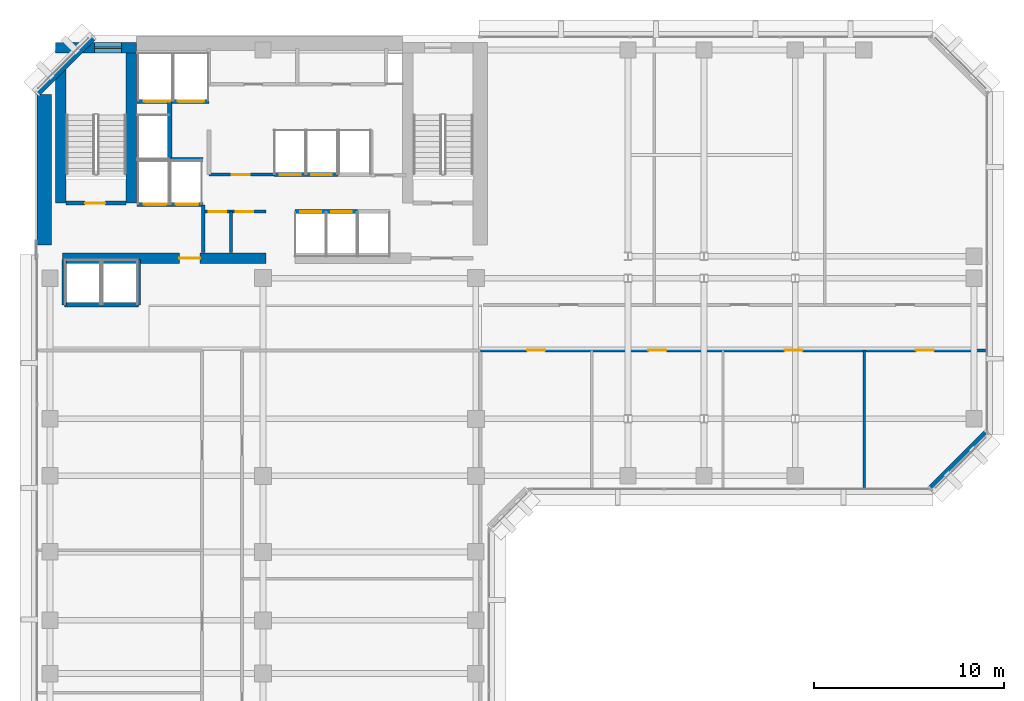
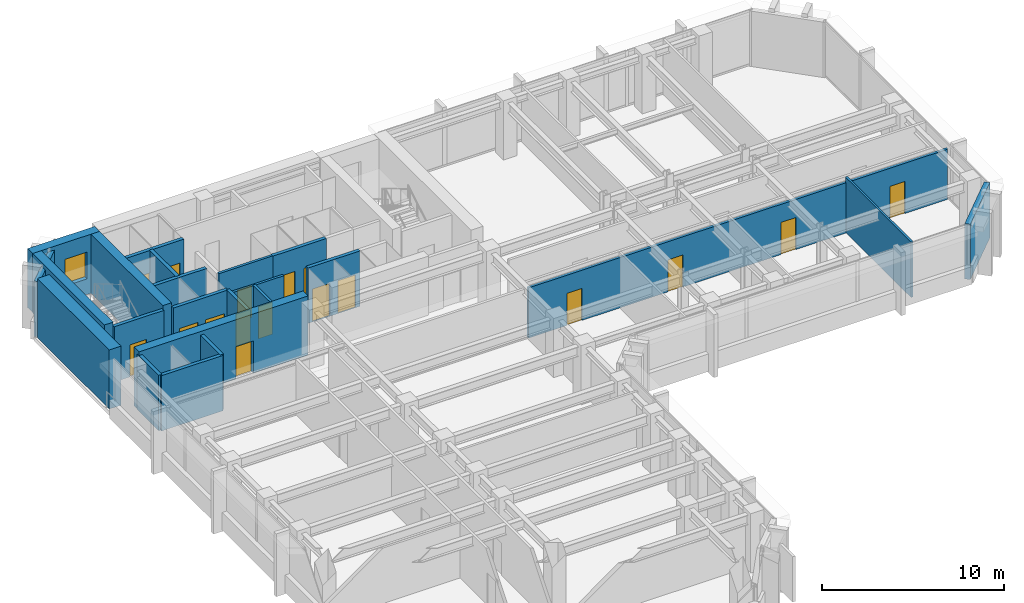
# One storey, part 7 of 11: 23 walls, 17 doors, 1 window, 18 openings.
"""IFC4 building model written with IfcOpenShell, lengths in metres."""

from ifc_helpers import new_model, si_unit, direction, frame, frame_2d, origin, place, context, subcontext, project, spatial, rectangle, extrude, material, layer, layer_set, type_object, element, fill, save


model = new_model("IFC4")

# Units and contexts
model_context = context("Model", 3, precision=1e-05, world=origin(), true_north=direction((0.0, 1.0)))
body_context = subcontext(model_context, "Body", "Model", "MODEL_VIEW")
ifc_project = project(units=[si_unit("LENGTHUNIT", "METRE"), si_unit("AREAUNIT", "SQUARE_METRE"), si_unit("VOLUMEUNIT", "CUBIC_METRE"), si_unit("PLANEANGLEUNIT", "RADIAN"), si_unit("MASSUNIT", "GRAM", prefix="KILO")], contexts=[model_context])

# Site, building, storey
site_placement = place(None, origin())
site = spatial("IfcSite", under=ifc_project, at=site_placement, CompositionType="ELEMENT")
building_placement = place(site_placement, origin())
building = spatial("IfcBuilding", under=site, at=building_placement, Name="Kefirva Bronze Tower", CompositionType="ELEMENT")
storey_placement = place(building_placement, frame((0.0, 0.0, 154.77001953125)))
storey = spatial("IfcBuildingStorey", under=building, at=storey_placement, Name="L37", CompositionType="ELEMENT", Elevation=154.77001953125)

# Wall
ifc_material_1 = material(Name="Gypsum acoustic partition")
ifc_layer_1 = layer(ifc_material_1, 0.1298828125, Name="Gypsum acoustic partition")
ifc_layer_set_1 = layer_set([ifc_layer_1], Name="Gypsum acoustic partition")
wall_type_1 = type_object("IfcWallType", Name="Acoustic Office Partition 130mm", PredefinedType="PARTITIONING", material=ifc_layer_set_1)
wall_1_placement = place(storey_placement, frame((43.635498046875, 22.18994140625, 0.0), z_axis=(0.0, 0.0, 1.0), x_axis=(0.0, 1.0, 0.0)))
element("IfcWall", 1, at=wall_1_placement, inside=storey, type_object=wall_type_1, Name="L37 Partition W-L37-ESD3", PredefinedType="PARTITIONING", context=body_context, shape_type="SweptSolid", body=[
    extrude(rectangle(XDim=7.2099609375, YDim=0.1298828125, at=frame_2d((3.60498046875, 0.0))), origin(), (0.0, 0.0, 1.0), 3.7099609375),
])

# Wall, opening, door
ifc_material_2 = material(Name="Gypsum fireboard shaftwall")
ifc_layer_2 = layer(ifc_material_2, 0.219970703125, Name="Gypsum fireboard shaftwall")
ifc_layer_set_2 = layer_set([ifc_layer_2], Name="Gypsum fireboard shaftwall")
wall_type_2 = type_object("IfcWallType", Name="Fire-Rated Shaft Enclosure Wall 220mm", PredefinedType="PARTITIONING", material=ifc_layer_set_2)
wall_2_placement = place(storey_placement, frame((1.64990234375, 37.14990234375, 0.0), z_axis=(0.0, 0.0, 1.0), x_axis=(1.0, 0.0, 0.0)))
wall_2 = element("IfcWall", 2, at=wall_2_placement, inside=storey, type_object=wall_type_2, Name="L37 Partition W-L37-ST1S", PredefinedType="PARTITIONING", context=body_context, shape_type="SweptSolid", body=[
    extrude(rectangle(XDim=3.150146484375, YDim=0.219970703125, at=frame_2d((1.5751953125, 0.0))), origin(), (0.0, 0.0, 1.0), 3.7099609375),
])
opening_1_placement = place(wall_2_placement, frame((2.050048828125, 0.0, 0.0), z_axis=(0.0, 0.0, 1.0), x_axis=(-1.0, 0.0, 0.0)))
opening_1 = element("IfcOpeningElement", 3, at=opening_1_placement, cuts=wall_2, Name="Opening L37-D001", PredefinedType="OPENING", context=body_context, shape_type="SweptSolid", body=[
    extrude(rectangle(XDim=1.050048828125, YDim=2.14990234375, at=frame_2d((0.52490234375, 1.074951171875))), frame((0.0, 0.1201171875, 0.0), z_axis=(0.0, -1.0, 0.0), x_axis=(1.0, 0.0, 0.0)), (0.0, 0.0, 1.0), 0.239990234375),
])
ifc_material_3 = material(Name="Painted galvanized steel", Category="steel")
door_type_1 = type_object("IfcDoorType", Name="Fire Stair Enclosure Door 1050x2150 FD90S", OperationType="NOTDEFINED", PredefinedType="DOOR", material=ifc_material_3)
door_1_placement = place(opening_1_placement, origin())
door_1 = element("IfcDoor", 4, at=door_1_placement, inside=storey, type_object=door_type_1, Name="Door L37-D001", OperationType="SINGLE_SWING_LEFT", OverallHeight=2.14990234375, OverallWidth=1.050048828125, PredefinedType="DOOR", context=body_context, shape_type="SweptSolid", body=[
    extrude(rectangle(XDim=1.050048828125, YDim=2.14990234375, at=frame_2d((0.52490234375, 1.074951171875))), frame((0.0, 0.02490234375, 0.0), z_axis=(0.0, -1.0, 0.0), x_axis=(1.0, 0.0, 0.0)), (0.0, 0.0, 1.0), 0.050048828125),
])
fill(opening_1, door_1)

# Wall, openings, doors
wall_3_placement = place(storey_placement, frame((5.3798828125, 37.080078125, 0.0), z_axis=(0.0, 0.0, 1.0), x_axis=(1.0, 0.0, 0.0)))
wall_3 = element("IfcWall", 5, at=wall_3_placement, inside=storey, type_object=wall_type_2, Name="L37 Partition W-L37-FFS", PredefinedType="PARTITIONING", context=body_context, shape_type="SweptSolid", body=[
    extrude(rectangle(XDim=3.460205078125, YDim=0.219970703125, at=frame_2d((1.72998046875, 0.0))), origin(), (0.0, 0.0, 1.0), 3.7099609375),
])
opening_2_placement = place(wall_3_placement, frame((1.550048828125, 0.0, 0.0), z_axis=(0.0, 0.0, 1.0), x_axis=(-1.0, 0.0, 0.0)))
opening_2 = element("IfcOpeningElement", 6, at=opening_2_placement, cuts=wall_3, Name="Opening L37-LD-FF1", PredefinedType="OPENING", context=body_context, shape_type="SweptSolid", body=[
    extrude(rectangle(XDim=1.199951171875, YDim=2.199951171875, at=frame_2d((0.60009765625, 1.10009765625))), frame((0.0, 0.1201171875, 0.0), z_axis=(0.0, -1.0, 0.0), x_axis=(1.0, 0.0, 0.0)), (0.0, 0.0, 1.0), 0.239990234375),
])
opening_3_placement = place(wall_3_placement, frame((3.219970703125, 0.0, 0.0), z_axis=(0.0, 0.0, 1.0), x_axis=(-1.0, 0.0, 0.0)))
opening_3 = element("IfcOpeningElement", 7, at=opening_3_placement, cuts=wall_3, Name="Opening L37-LD-FF2", PredefinedType="OPENING", context=body_context, shape_type="SweptSolid", body=[
    extrude(rectangle(XDim=1.199951171875, YDim=2.199951171875, at=frame_2d((0.60009765625, 1.10009765625))), frame((0.0, 0.1201171875, 0.0), z_axis=(0.0, -1.0, 0.0), x_axis=(1.0, 0.0, 0.0)), (0.0, 0.0, 1.0), 0.239990234375),
])
ifc_material_4 = material(Name="Stainless steel 316", Category="steel")
door_type_2 = type_object("IfcDoorType", Name="Firefighting Lift Sliding Door 1200x2200", OperationType="SLIDING_TO_RIGHT", PredefinedType="DOOR", material=ifc_material_4)
door_2_placement = place(opening_2_placement, origin())
door_2 = element("IfcDoor", 8, at=door_2_placement, inside=storey, type_object=door_type_2, Name="Door L37-LD-FF1", OperationType="SLIDING_TO_RIGHT", OverallHeight=2.199951171875, OverallWidth=1.199951171875, PredefinedType="DOOR", context=body_context, shape_type="SweptSolid", body=[
    extrude(rectangle(XDim=1.199951171875, YDim=2.199951171875, at=frame_2d((0.60009765625, 1.10009765625))), frame((0.0, 0.02490234375, 0.0), z_axis=(0.0, -1.0, 0.0), x_axis=(1.0, 0.0, 0.0)), (0.0, 0.0, 1.0), 0.050048828125),
])
fill(opening_2, door_2)
door_3_placement = place(opening_3_placement, origin())
door_3 = element("IfcDoor", 9, at=door_3_placement, inside=storey, type_object=door_type_2, Name="Door L37-LD-FF2", OperationType="SLIDING_TO_RIGHT", OverallHeight=2.199951171875, OverallWidth=1.199951171875, PredefinedType="DOOR", context=body_context, shape_type="SweptSolid", body=[
    extrude(rectangle(XDim=1.199951171875, YDim=2.199951171875, at=frame_2d((0.60009765625, 1.10009765625))), frame((0.0, 0.02490234375, 0.0), z_axis=(0.0, -1.0, 0.0), x_axis=(1.0, 0.0, 0.0)), (0.0, 0.0, 1.0), 0.050048828125),
])
fill(opening_3, door_3)

# Wall
wall_4_placement = place(storey_placement, frame((5.3798828125, 39.449951171875, 0.0), z_axis=(0.0, 0.0, 1.0), x_axis=(1.0, 0.0, 0.0)))
element("IfcWall", 10, at=wall_4_placement, inside=storey, type_object=wall_type_2, Name="L37 Partition W-L37-FFN", PredefinedType="PARTITIONING", context=body_context, shape_type="SweptSolid", body=[
    extrude(rectangle(XDim=3.460205078125, YDim=0.219970703125, at=frame_2d((1.72998046875, 0.0))), origin(), (0.0, 0.0, 1.0), 3.7099609375),
])

# Wall, openings, doors
wall_5_placement = place(storey_placement, frame((5.3798828125, 42.5, 0.0), z_axis=(0.0, 0.0, 1.0), x_axis=(1.0, 0.0, 0.0)))
wall_5 = element("IfcWall", 11, at=wall_5_placement, inside=storey, type_object=wall_type_2, Name="L37 Partition W-L37-SVS", PredefinedType="PARTITIONING", context=body_context, shape_type="SweptSolid", body=[
    extrude(rectangle(XDim=3.77001953125, YDim=0.219970703125, at=frame_2d((1.885009765625, 0.0))), origin(), (0.0, 0.0, 1.0), 3.7099609375),
])
opening_4_placement = place(wall_5_placement, frame((1.75, 0.0, 0.0), z_axis=(0.0, 0.0, 1.0), x_axis=(-1.0, 0.0, 0.0)))
opening_4 = element("IfcOpeningElement", 12, at=opening_4_placement, cuts=wall_5, Name="Opening L37-LD-SV1", PredefinedType="OPENING", context=body_context, shape_type="SweptSolid", body=[
    extrude(rectangle(XDim=1.39990234375, YDim=2.199951171875, at=frame_2d((0.699951171875, 1.10009765625))), frame((0.0, 0.1201171875, 0.0), z_axis=(0.0, -1.0, 0.0), x_axis=(1.0, 0.0, 0.0)), (0.0, 0.0, 1.0), 0.239990234375),
])
opening_5_placement = place(wall_5_placement, frame((3.52978515625, 0.0, 0.0), z_axis=(0.0, 0.0, 1.0), x_axis=(-1.0, 0.0, 0.0)))
opening_5 = element("IfcOpeningElement", 13, at=opening_5_placement, cuts=wall_5, Name="Opening L37-LD-SV2", PredefinedType="OPENING", context=body_context, shape_type="SweptSolid", body=[
    extrude(rectangle(XDim=1.39990234375, YDim=2.199951171875, at=frame_2d((0.699951171875, 1.10009765625))), frame((0.0, 0.1201171875, 0.0), z_axis=(0.0, -1.0, 0.0), x_axis=(1.0, 0.0, 0.0)), (0.0, 0.0, 1.0), 0.239990234375),
])
door_type_3 = type_object("IfcDoorType", Name="Goods Lift Bi-Parting Sliding Door 1400x2200", OperationType="SLIDING_TO_LEFT", PredefinedType="DOOR", material=ifc_material_4)
door_4_placement = place(opening_4_placement, origin())
door_4 = element("IfcDoor", 14, at=door_4_placement, inside=storey, type_object=door_type_3, Name="Door L37-LD-SV1", OperationType="SLIDING_TO_LEFT", OverallHeight=2.199951171875, OverallWidth=1.39990234375, PredefinedType="DOOR", context=body_context, shape_type="SweptSolid", body=[
    extrude(rectangle(XDim=1.39990234375, YDim=2.199951171875, at=frame_2d((0.699951171875, 1.10009765625))), frame((0.0, 0.02490234375, 0.0), z_axis=(0.0, -1.0, 0.0), x_axis=(1.0, 0.0, 0.0)), (0.0, 0.0, 1.0), 0.050048828125),
])
fill(opening_4, door_4)
door_5_placement = place(opening_5_placement, origin())
door_5 = element("IfcDoor", 15, at=door_5_placement, inside=storey, type_object=door_type_3, Name="Door L37-LD-SV2", OperationType="SLIDING_TO_LEFT", OverallHeight=2.199951171875, OverallWidth=1.39990234375, PredefinedType="DOOR", context=body_context, shape_type="SweptSolid", body=[
    extrude(rectangle(XDim=1.39990234375, YDim=2.199951171875, at=frame_2d((0.699951171875, 1.10009765625))), frame((0.0, 0.02490234375, 0.0), z_axis=(0.0, -1.0, 0.0), x_axis=(1.0, 0.0, 0.0)), (0.0, 0.0, 1.0), 0.050048828125),
])
fill(opening_5, door_5)

# Walls
wall_6_placement = place(storey_placement, frame((7.10009765625, 39.52001953125, 0.0), z_axis=(0.0, 0.0, 1.0), x_axis=(0.0, 1.0, 0.0)))
element("IfcWall", 16, at=wall_6_placement, inside=storey, type_object=wall_type_2, Name="L37 Partition W-L37-HP3E", PredefinedType="PARTITIONING", context=body_context, shape_type="SweptSolid", body=[
    extrude(rectangle(XDim=2.929931640625, YDim=0.219970703125, at=frame_2d((1.46484375, 0.0))), origin(), (0.0, 0.0, 1.0), 3.7099609375),
])
wall_7_placement = place(storey_placement, frame((1.550048828125, 31.800048828125, 0.0), z_axis=(0.0, 0.0, 1.0), x_axis=(1.0, 0.0, 0.0)))
element("IfcWall", 17, at=wall_7_placement, inside=storey, type_object=wall_type_2, Name="L37 Partition W-L37-OBS", PredefinedType="PARTITIONING", context=body_context, shape_type="SweptSolid", body=[
    extrude(rectangle(XDim=3.89990234375, YDim=0.219970703125, at=frame_2d((1.949951171875, 0.0))), origin(), (0.0, 0.0, 1.0), 3.7099609375),
])
for number, where, z_axis, x_axis, name in (
    (18, (1.550048828125, 31.800048828125, 0.0), (0.0, 0.0, 1.0), (0.0, 1.0, 0.0), "L37 Partition W-L37-OBW"),
    (19, (5.449951171875, 31.800048828125, 0.0), (0.0, 0.0, 1.0), (0.0, 1.0, 0.0), "L37 Partition W-L37-OBE"),
):
    element("IfcWall", number, at=place(storey_placement, frame(where, z_axis=z_axis, x_axis=x_axis)), inside=storey, type_object=wall_type_2, Name=name, PredefinedType="PARTITIONING", context=body_context, shape_type="SweptSolid", body=[
        extrude(rectangle(XDim=2.3798828125, YDim=0.219970703125, at=frame_2d((1.18994140625, 0.0))), origin(), (0.0, 0.0, 1.0), 3.7099609375),
    ])

# Wall, openings, doors
wall_8_placement = place(storey_placement, frame((13.679931640625, 36.699951171875, 0.0), z_axis=(0.0, 0.0, 1.0), x_axis=(1.0, 0.0, 0.0)))
wall_8 = element("IfcWall", 20, at=wall_8_placement, inside=storey, type_object=wall_type_2, Name="L37 Partition W-L37-MPS", PredefinedType="PARTITIONING", context=body_context, shape_type="SweptSolid", body=[
    extrude(rectangle(XDim=3.280029296875, YDim=0.219970703125, at=frame_2d((1.64013671875, 0.0))), origin(), (0.0, 0.0, 1.0), 3.7099609375),
])
opening_6_placement = place(wall_8_placement, frame((0.280029296875, 0.0, 0.0)))
opening_6 = element("IfcOpeningElement", 21, at=opening_6_placement, cuts=wall_8, Name="Opening L37-LD-MP1", PredefinedType="OPENING", context=body_context, shape_type="SweptSolid", body=[
    extrude(rectangle(XDim=1.10009765625, YDim=2.199951171875, at=frame_2d((0.550048828125, 1.10009765625))), frame((0.0, 0.1201171875, 0.0), z_axis=(0.0, -1.0, 0.0), x_axis=(1.0, 0.0, 0.0)), (0.0, 0.0, 1.0), 0.239990234375),
])
opening_7_placement = place(wall_8_placement, frame((1.89990234375, 0.0, 0.0)))
opening_7 = element("IfcOpeningElement", 22, at=opening_7_placement, cuts=wall_8, Name="Opening L37-LD-MP2", PredefinedType="OPENING", context=body_context, shape_type="SweptSolid", body=[
    extrude(rectangle(XDim=1.10009765625, YDim=2.199951171875, at=frame_2d((0.550048828125, 1.10009765625))), frame((0.0, 0.1201171875, 0.0), z_axis=(0.0, -1.0, 0.0), x_axis=(1.0, 0.0, 0.0)), (0.0, 0.0, 1.0), 0.239990234375),
])
door_type_4 = type_object("IfcDoorType", Name="Passenger Lift Sliding Landing Door 1100x2200", OperationType="SLIDING_TO_LEFT", PredefinedType="DOOR", material=ifc_material_4)
door_6_placement = place(opening_6_placement, origin())
door_6 = element("IfcDoor", 23, at=door_6_placement, inside=storey, type_object=door_type_4, Name="Door L37-LD-MP1", OperationType="SLIDING_TO_RIGHT", OverallHeight=2.199951171875, OverallWidth=1.10009765625, PredefinedType="DOOR", context=body_context, shape_type="SweptSolid", body=[
    extrude(rectangle(XDim=1.10009765625, YDim=2.199951171875, at=frame_2d((0.550048828125, 1.10009765625))), frame((0.0, 0.02490234375, 0.0), z_axis=(0.0, -1.0, 0.0), x_axis=(1.0, 0.0, 0.0)), (0.0, 0.0, 1.0), 0.050048828125),
])
fill(opening_6, door_6)
door_7_placement = place(opening_7_placement, origin())
door_7 = element("IfcDoor", 24, at=door_7_placement, inside=storey, type_object=door_type_4, Name="Door L37-LD-MP2", OperationType="SLIDING_TO_RIGHT", OverallHeight=2.199951171875, OverallWidth=1.10009765625, PredefinedType="DOOR", context=body_context, shape_type="SweptSolid", body=[
    extrude(rectangle(XDim=1.10009765625, YDim=2.199951171875, at=frame_2d((0.550048828125, 1.10009765625))), frame((0.0, 0.02490234375, 0.0), z_axis=(0.0, -1.0, 0.0), x_axis=(1.0, 0.0, 0.0)), (0.0, 0.0, 1.0), 0.050048828125),
])
fill(opening_7, door_7)

wall_9_placement = place(storey_placement, frame((12.580078125, 38.64990234375, 0.0), z_axis=(0.0, 0.0, 1.0), x_axis=(1.0, 0.0, 0.0)))
wall_9 = element("IfcWall", 25, at=wall_9_placement, inside=storey, type_object=wall_type_2, Name="L37 Partition W-L37-MPN", PredefinedType="PARTITIONING", context=body_context, shape_type="SweptSolid", body=[
    extrude(rectangle(XDim=3.3798828125, YDim=0.219970703125, at=frame_2d((1.68994140625, 0.0))), origin(), (0.0, 0.0, 1.0), 3.7099609375),
])
opening_8_placement = place(wall_9_placement, frame((0.300048828125, 0.0, 0.0)))
opening_8 = element("IfcOpeningElement", 26, at=opening_8_placement, cuts=wall_9, Name="Opening L37-LD-MP3", PredefinedType="OPENING", context=body_context, shape_type="SweptSolid", body=[
    extrude(rectangle(XDim=1.10009765625, YDim=2.199951171875, at=frame_2d((0.550048828125, 1.10009765625))), frame((0.0, 0.1201171875, 0.0), z_axis=(0.0, -1.0, 0.0), x_axis=(1.0, 0.0, 0.0)), (0.0, 0.0, 1.0), 0.239990234375),
])
opening_9_placement = place(wall_9_placement, frame((1.949951171875, 0.0, 0.0)))
opening_9 = element("IfcOpeningElement", 27, at=opening_9_placement, cuts=wall_9, Name="Opening L37-LD-MP4", PredefinedType="OPENING", context=body_context, shape_type="SweptSolid", body=[
    extrude(rectangle(XDim=1.10009765625, YDim=2.199951171875, at=frame_2d((0.550048828125, 1.10009765625))), frame((0.0, 0.1201171875, 0.0), z_axis=(0.0, -1.0, 0.0), x_axis=(1.0, 0.0, 0.0)), (0.0, 0.0, 1.0), 0.239990234375),
])
door_8_placement = place(opening_8_placement, origin())
door_8 = element("IfcDoor", 28, at=door_8_placement, inside=storey, type_object=door_type_4, Name="Door L37-LD-MP3", OperationType="SLIDING_TO_RIGHT", OverallHeight=2.199951171875, OverallWidth=1.10009765625, PredefinedType="DOOR", context=body_context, shape_type="SweptSolid", body=[
    extrude(rectangle(XDim=1.10009765625, YDim=2.199951171875, at=frame_2d((0.550048828125, 1.10009765625))), frame((0.0, 0.02490234375, 0.0), z_axis=(0.0, -1.0, 0.0), x_axis=(1.0, 0.0, 0.0)), (0.0, 0.0, 1.0), 0.050048828125),
])
fill(opening_8, door_8)
door_9_placement = place(opening_9_placement, origin())
door_9 = element("IfcDoor", 29, at=door_9_placement, inside=storey, type_object=door_type_4, Name="Door L37-LD-MP4", OperationType="SLIDING_TO_RIGHT", OverallHeight=2.199951171875, OverallWidth=1.10009765625, PredefinedType="DOOR", context=body_context, shape_type="SweptSolid", body=[
    extrude(rectangle(XDim=1.10009765625, YDim=2.199951171875, at=frame_2d((0.550048828125, 1.10009765625))), frame((0.0, 0.02490234375, 0.0), z_axis=(0.0, -1.0, 0.0), x_axis=(1.0, 0.0, 0.0)), (0.0, 0.0, 1.0), 0.050048828125),
])
fill(opening_9, door_9)

# Walls
ifc_material_5 = material(Name="Gypsum fireboard barrier")
ifc_layer_3 = layer(ifc_material_5, 0.199951171875, Name="Gypsum fireboard barrier")
ifc_layer_set_3 = layer_set([ifc_layer_3], Name="Gypsum fireboard barrier")
wall_type_3 = type_object("IfcWallType", Name="Firefighting Lobby Barrier Wall 200mm", PredefinedType="PARTITIONING", material=ifc_layer_set_3)
wall_10_placement = place(storey_placement, frame((8.860107421875, 34.550048828125, 0.0), z_axis=(0.0, 0.0, 1.0), x_axis=(0.0, 1.0, 0.0)))
element("IfcWall", 30, at=wall_10_placement, inside=storey, type_object=wall_type_3, Name="L37 Partition W-L37-FFLE", PredefinedType="PARTITIONING", context=body_context, shape_type="SweptSolid", body=[
    extrude(rectangle(XDim=2.5, YDim=0.199951171875, at=frame_2d((1.25, 0.0))), origin(), (0.0, 0.0, 1.0), 3.7099609375),
])
ifc_material_6 = material(Name="Precast concrete C40/50", Category="concrete")
ifc_layer_4 = layer(ifc_material_6, 0.320068359375, Name="Precast concrete C40/50")
ifc_layer_set_4 = layer_set([ifc_layer_4], Name="Precast concrete C40/50")
wall_type_4 = type_object("IfcWallType", Name="Precast Insulated Exterior Wall 320mm", PredefinedType="SOLIDWALL", material=ifc_layer_set_4)
for number, where, z_axis, x_axis, name in (
    (31, (47.125732421875, 22.152099609375, 0.0), (0.0, 0.0, 1.0), (0.707136318428, 0.707077242712, 0.0), "L37 Exterior Facade Wall 3"),
    (32, (3.07421875, 45.847900390625, 0.0), (0.0, 0.0, 1.0), (-0.707106781187, -0.707106781187, 0.0), "L37 Exterior Facade Wall 5"),
):
    element("IfcWall", number, at=place(storey_placement, frame(where, z_axis=z_axis, x_axis=x_axis)), inside=storey, type_object=wall_type_4, Name=name, PredefinedType="SOLIDWALL", context=body_context, shape_type="SweptSolid", body=[
        extrude(rectangle(XDim=4.132568359375, YDim=0.320068359375, at=frame_2d((2.06640625, 0.0))), origin(), (0.0, 0.0, 1.0), 3.7099609375),
    ])

# Wall, openings, doors
ifc_layer_5 = layer(ifc_material_1, 0.159912109375, Name="Gypsum acoustic partition")
ifc_layer_set_5 = layer_set([ifc_layer_5], Name="Gypsum acoustic partition")
wall_type_5 = type_object("IfcWallType", Name="Protected Corridor Partition 160mm", PredefinedType="PARTITIONING", material=ifc_layer_set_5)
wall_11_placement = place(storey_placement, frame((8.89990234375, 36.699951171875, 0.0), z_axis=(0.0, 0.0, 1.0), x_axis=(1.0, 0.0, 0.0)))
wall_11 = element("IfcWall", 33, at=wall_11_placement, inside=storey, type_object=wall_type_5, Name="L37 Partition W-L37-RECLP1", PredefinedType="PARTITIONING", context=body_context, shape_type="SweptSolid", body=[
    extrude(rectangle(XDim=3.25, YDim=0.159912109375, at=frame_2d((1.625, 0.0))), origin(), (0.0, 0.0, 1.0), 3.7099609375),
])
opening_10_placement = place(wall_11_placement, frame((0.260009765625, 0.0, 0.0)))
opening_10 = element("IfcOpeningElement", 34, at=opening_10_placement, cuts=wall_11, Name="Opening L37-D-RECLP1A", PredefinedType="OPENING", context=body_context, shape_type="SweptSolid", body=[
    extrude(rectangle(XDim=0.89990234375, YDim=2.14990234375, at=frame_2d((0.449951171875, 1.074951171875))), frame((0.0, 0.08984375, 0.0), z_axis=(0.0, -1.0, 0.0), x_axis=(1.0, 0.0, 0.0)), (0.0, 0.0, 1.0), 0.179931640625),
])
opening_11_placement = place(wall_11_placement, frame((1.679931640625, 0.0, 0.0)))
opening_11 = element("IfcOpeningElement", 35, at=opening_11_placement, cuts=wall_11, Name="Opening L37-D-RECLP1B", PredefinedType="OPENING", context=body_context, shape_type="SweptSolid", body=[
    extrude(rectangle(XDim=0.89990234375, YDim=2.14990234375, at=frame_2d((0.449951171875, 1.074951171875))), frame((0.0, 0.08984375, 0.0), z_axis=(0.0, -1.0, 0.0), x_axis=(1.0, 0.0, 0.0)), (0.0, 0.0, 1.0), 0.179931640625),
])
door_type_5 = type_object("IfcDoorType", Name="Core Archive & Server Fire Door 900x2150 FD60S", OperationType="NOTDEFINED", PredefinedType="DOOR", material=ifc_material_3)
door_10_placement = place(opening_10_placement, origin())
door_10 = element("IfcDoor", 36, at=door_10_placement, inside=storey, type_object=door_type_5, Name="Door L37-D-RECLP1A", OperationType="SINGLE_SWING_RIGHT", OverallHeight=2.14990234375, OverallWidth=0.89990234375, PredefinedType="DOOR", context=body_context, shape_type="SweptSolid", body=[
    extrude(rectangle(XDim=0.89990234375, YDim=2.14990234375, at=frame_2d((0.449951171875, 1.074951171875))), frame((0.0, 0.02490234375, 0.0), z_axis=(0.0, -1.0, 0.0), x_axis=(1.0, 0.0, 0.0)), (0.0, 0.0, 1.0), 0.050048828125),
])
fill(opening_10, door_10)
door_11_placement = place(opening_11_placement, origin())
door_11 = element("IfcDoor", 37, at=door_11_placement, inside=storey, type_object=door_type_5, Name="Door L37-D-RECLP1B", OperationType="SINGLE_SWING_LEFT", OverallHeight=2.14990234375, OverallWidth=0.89990234375, PredefinedType="DOOR", context=body_context, shape_type="SweptSolid", body=[
    extrude(rectangle(XDim=0.89990234375, YDim=2.14990234375, at=frame_2d((0.449951171875, 1.074951171875))), frame((0.0, 0.02490234375, 0.0), z_axis=(0.0, -1.0, 0.0), x_axis=(1.0, 0.0, 0.0)), (0.0, 0.0, 1.0), 0.050048828125),
])
fill(opening_11, door_11)

# Wall
wall_12_placement = place(storey_placement, frame((10.320068359375, 34.550048828125, 0.0), z_axis=(0.0, 0.0, 1.0), x_axis=(0.0, 1.0, 0.0)))
element("IfcWall", 38, at=wall_12_placement, inside=storey, type_object=wall_type_5, Name="L37 Partition W-L37-RECLP1D", PredefinedType="PARTITIONING", context=body_context, shape_type="SweptSolid", body=[
    extrude(rectangle(XDim=2.14990234375, YDim=0.159912109375, at=frame_2d((1.074951171875, 0.0))), origin(), (0.0, 0.0, 1.0), 3.7099609375),
])

# Wall, opening, door
wall_13_placement = place(storey_placement, frame((9.159912109375, 38.64990234375, 0.0), z_axis=(0.0, 0.0, 1.0), x_axis=(1.0, 0.0, 0.0)))
wall_13 = element("IfcWall", 39, at=wall_13_placement, inside=storey, type_object=wall_type_5, Name="L37 Partition W-L37-RECLP2", PredefinedType="PARTITIONING", context=body_context, shape_type="SweptSolid", body=[
    extrude(rectangle(XDim=3.420166015625, YDim=0.159912109375, at=frame_2d((1.7099609375, 0.0))), origin(), (0.0, 0.0, 1.0), 3.7099609375),
])
opening_12_placement = place(wall_13_placement, frame((2.14990234375, 0.0, 0.0), z_axis=(0.0, 0.0, 1.0), x_axis=(-1.0, 0.0, 0.0)))
opening_12 = element("IfcOpeningElement", 40, at=opening_12_placement, cuts=wall_13, Name="Opening L37-D-RECLP2", PredefinedType="OPENING", context=body_context, shape_type="SweptSolid", body=[
    extrude(rectangle(XDim=0.949951171875, YDim=2.14990234375, at=frame_2d((0.47509765625, 1.074951171875))), frame((0.0, 0.08984375, 0.0), z_axis=(0.0, -1.0, 0.0), x_axis=(1.0, 0.0, 0.0)), (0.0, 0.0, 1.0), 0.179931640625),
])
ifc_material_7 = material(Name="Acoustic hardwood oak", Category="wood")
door_type_6 = type_object("IfcDoorType", Name="Office & Meeting Room Door 950x2150", OperationType="NOTDEFINED", PredefinedType="DOOR", material=ifc_material_7)
door_12_placement = place(opening_12_placement, origin())
door_12 = element("IfcDoor", 41, at=door_12_placement, inside=storey, type_object=door_type_6, Name="Door L37-D-RECLP2", OperationType="SINGLE_SWING_RIGHT", OverallHeight=2.14990234375, OverallWidth=0.949951171875, PredefinedType="DOOR", context=body_context, shape_type="SweptSolid", body=[
    extrude(rectangle(XDim=0.949951171875, YDim=2.14990234375, at=frame_2d((0.47509765625, 1.074951171875))), frame((0.0, 0.02490234375, 0.0), z_axis=(0.0, -1.0, 0.0), x_axis=(1.0, 0.0, 0.0)), (0.0, 0.0, 1.0), 0.050048828125),
])
fill(opening_12, door_12)

# Wall, openings, doors
wall_14_placement = place(storey_placement, frame((23.449951171875, 29.39990234375, 0.0), z_axis=(0.0, 0.0, 1.0), x_axis=(1.0, 0.0, 0.0)))
wall_14 = element("IfcWall", 42, at=wall_14_placement, inside=storey, type_object=wall_type_5, Name="L37 Partition W-L37-EWS", PredefinedType="PARTITIONING", context=body_context, shape_type="SweptSolid", body=[
    extrude(rectangle(XDim=26.56005859375, YDim=0.159912109375, at=frame_2d((13.280029296875, 0.0))), origin(), (0.0, 0.0, 1.0), 3.364990234375),
])
opening_13_placement = place(wall_14_placement, frame((3.396484375, 0.0, 0.0), z_axis=(0.0, 0.0, 1.0), x_axis=(-1.0, 0.0, 0.0)))
opening_13 = element("IfcOpeningElement", 43, at=opening_13_placement, cuts=wall_14, Name="Opening L37-D-ES1", PredefinedType="OPENING", context=body_context, shape_type="SweptSolid", body=[
    extrude(rectangle(XDim=0.949951171875, YDim=2.14990234375, at=frame_2d((0.47509765625, 1.074951171875))), frame((0.0, 0.08984375, 0.0), z_axis=(0.0, -1.0, 0.0), x_axis=(1.0, 0.0, 0.0)), (0.0, 0.0, 1.0), 0.179931640625),
])
opening_14_placement = place(wall_14_placement, frame((9.77099609375, 0.0, 0.0), z_axis=(0.0, 0.0, 1.0), x_axis=(-1.0, 0.0, 0.0)))
opening_14 = element("IfcOpeningElement", 44, at=opening_14_placement, cuts=wall_14, Name="Opening L37-D-ES2", PredefinedType="OPENING", context=body_context, shape_type="SweptSolid", body=[
    extrude(rectangle(XDim=0.949951171875, YDim=2.14990234375, at=frame_2d((0.47509765625, 1.074951171875))), frame((0.0, 0.08984375, 0.0), z_axis=(0.0, -1.0, 0.0), x_axis=(1.0, 0.0, 0.0)), (0.0, 0.0, 1.0), 0.179931640625),
])
opening_15_placement = place(wall_14_placement, frame((16.942138671875, 0.0, 0.0), z_axis=(0.0, 0.0, 1.0), x_axis=(-1.0, 0.0, 0.0)))
opening_15 = element("IfcOpeningElement", 45, at=opening_15_placement, cuts=wall_14, Name="Opening L37-D-ES3", PredefinedType="OPENING", context=body_context, shape_type="SweptSolid", body=[
    extrude(rectangle(XDim=0.949951171875, YDim=2.14990234375, at=frame_2d((0.47509765625, 1.074951171875))), frame((0.0, 0.08984375, 0.0), z_axis=(0.0, -1.0, 0.0), x_axis=(1.0, 0.0, 0.0)), (0.0, 0.0, 1.0), 0.179931640625),
])
opening_16_placement = place(wall_14_placement, frame((23.84765625, 0.0, 0.0), z_axis=(0.0, 0.0, 1.0), x_axis=(-1.0, 0.0, 0.0)))
opening_16 = element("IfcOpeningElement", 46, at=opening_16_placement, cuts=wall_14, Name="Opening L37-D-ES4", PredefinedType="OPENING", context=body_context, shape_type="SweptSolid", body=[
    extrude(rectangle(XDim=0.949951171875, YDim=2.14990234375, at=frame_2d((0.47509765625, 1.074951171875))), frame((0.0, 0.08984375, 0.0), z_axis=(0.0, -1.0, 0.0), x_axis=(1.0, 0.0, 0.0)), (0.0, 0.0, 1.0), 0.179931640625),
])
door_13_placement = place(opening_13_placement, origin())
door_13 = element("IfcDoor", 47, at=door_13_placement, inside=storey, type_object=door_type_6, Name="Door L37-D-ES1", OperationType="SINGLE_SWING_LEFT", OverallHeight=2.14990234375, OverallWidth=0.949951171875, PredefinedType="DOOR", context=body_context, shape_type="SweptSolid", body=[
    extrude(rectangle(XDim=0.949951171875, YDim=2.14990234375, at=frame_2d((0.47509765625, 1.074951171875))), frame((0.0, 0.02490234375, 0.0), z_axis=(0.0, -1.0, 0.0), x_axis=(1.0, 0.0, 0.0)), (0.0, 0.0, 1.0), 0.050048828125),
])
fill(opening_13, door_13)
door_14_placement = place(opening_14_placement, origin())
door_14 = element("IfcDoor", 48, at=door_14_placement, inside=storey, type_object=door_type_6, Name="Door L37-D-ES2", OperationType="SINGLE_SWING_RIGHT", OverallHeight=2.14990234375, OverallWidth=0.949951171875, PredefinedType="DOOR", context=body_context, shape_type="SweptSolid", body=[
    extrude(rectangle(XDim=0.949951171875, YDim=2.14990234375, at=frame_2d((0.47509765625, 1.074951171875))), frame((0.0, 0.02490234375, 0.0), z_axis=(0.0, -1.0, 0.0), x_axis=(1.0, 0.0, 0.0)), (0.0, 0.0, 1.0), 0.050048828125),
])
fill(opening_14, door_14)
door_15_placement = place(opening_15_placement, origin())
door_15 = element("IfcDoor", 49, at=door_15_placement, inside=storey, type_object=door_type_6, Name="Door L37-D-ES3", OperationType="SINGLE_SWING_LEFT", OverallHeight=2.14990234375, OverallWidth=0.949951171875, PredefinedType="DOOR", context=body_context, shape_type="SweptSolid", body=[
    extrude(rectangle(XDim=0.949951171875, YDim=2.14990234375, at=frame_2d((0.47509765625, 1.074951171875))), frame((0.0, 0.02490234375, 0.0), z_axis=(0.0, -1.0, 0.0), x_axis=(1.0, 0.0, 0.0)), (0.0, 0.0, 1.0), 0.050048828125),
])
fill(opening_15, door_15)
door_16_placement = place(opening_16_placement, origin())
door_16 = element("IfcDoor", 50, at=door_16_placement, inside=storey, type_object=door_type_6, Name="Door L37-D-ES4", OperationType="SINGLE_SWING_RIGHT", OverallHeight=2.14990234375, OverallWidth=0.949951171875, PredefinedType="DOOR", context=body_context, shape_type="SweptSolid", body=[
    extrude(rectangle(XDim=0.949951171875, YDim=2.14990234375, at=frame_2d((0.47509765625, 1.074951171875))), frame((0.0, 0.02490234375, 0.0), z_axis=(0.0, -1.0, 0.0), x_axis=(1.0, 0.0, 0.0)), (0.0, 0.0, 1.0), 0.050048828125),
])
fill(opening_16, door_16)

# Wall, opening, window
ifc_material_8 = material(Name="Concrete C50/60", Category="concrete")
ifc_layer_6 = layer(ifc_material_8, 0.550048828125, Name="Concrete C50/60")
ifc_layer_set_6 = layer_set([ifc_layer_6], Name="Concrete C50/60")
wall_type_6 = type_object("IfcWallType", Name="RC Rear Core Exterior Wall 550mm", PredefinedType="SHEAR", material=ifc_layer_set_6)
wall_15_placement = place(storey_placement, frame((1.10009765625, 45.320068359375, 0.0), z_axis=(0.0, 0.0, 1.0), x_axis=(1.0, 0.0, 0.0)))
wall_15 = element("IfcWall", 51, at=wall_15_placement, inside=storey, type_object=wall_type_6, Name="L37 Stair 1 North Shear Wall", PredefinedType="SHEAR", context=body_context, shape_type="SweptSolid", body=[
    extrude(rectangle(XDim=4.239990234375, YDim=0.550048828125, at=frame_2d((2.1201171875, 0.0))), origin(), (0.0, 0.0, 1.0), 3.9599609375),
])
opening_17_placement = place(wall_15_placement, frame((2.050048828125, 0.0, 1.050048828125)))
opening_17 = element("IfcOpeningElement", 52, at=opening_17_placement, cuts=wall_15, Name="Opening WN-03", PredefinedType="OPENING", context=body_context, shape_type="SweptSolid", body=[
    extrude(rectangle(XDim=1.39990234375, YDim=1.800048828125, at=frame_2d((0.699951171875, 0.89990234375))), frame((0.0, 0.28515625, 0.0), z_axis=(0.0, -1.0, 0.0), x_axis=(1.0, 0.0, 0.0)), (0.0, 0.0, 1.0), 0.570068359375),
])
ifc_material_9 = material(Name="Laminated low-E double glazing", Category="glass")
window_type = type_object("IfcWindowType", Name="Rear-Core Stair Daylight Window 1400x1800", PartitioningType="SINGLE_PANEL", PredefinedType="WINDOW", material=ifc_material_9)
window_placement = place(opening_17_placement, origin())
window = element("IfcWindow", 53, at=window_placement, inside=storey, type_object=window_type, Name="L37 Stair 1 Daylight Window", OverallHeight=1.800048828125, OverallWidth=1.39990234375, PartitioningType="SINGLE_PANEL", PredefinedType="WINDOW", context=body_context, shape_type="SweptSolid", body=[
    extrude(rectangle(XDim=1.39990234375, YDim=1.800048828125, at=frame_2d((0.699951171875, 0.89990234375))), frame((0.0, 0.030029296875, 0.0), z_axis=(0.0, -1.0, 0.0), x_axis=(1.0, 0.0, 0.0)), (0.0, 0.0, 1.0), 0.06005859375),
])
fill(opening_17, window)

# Walls
ifc_material_10 = material(Name="Concrete C60/75", Category="concrete")
ifc_layer_7 = layer(ifc_material_10, 0.75, Name="Concrete C60/75")
ifc_layer_set_7 = layer_set([ifc_layer_7], Name="Concrete C60/75")
wall_type_7 = type_object("IfcWallType", Name="RC Rear Core Exterior Wall 750mm", PredefinedType="SHEAR", material=ifc_layer_set_7)
wall_16_placement = place(storey_placement, frame((0.5, 34.949951171875, 0.0), z_axis=(0.0, 0.0, 1.0), x_axis=(0.0, 1.0, 0.0)))
element("IfcWall", 54, at=wall_16_placement, inside=storey, type_object=wall_type_7, Name="L37 Rear Core West Shear Wall", PredefinedType="SHEAR", context=body_context, shape_type="SweptSolid", body=[
    extrude(rectangle(XDim=7.900146484375, YDim=0.75, at=frame_2d((3.9501953125, 0.0))), origin(), (0.0, 0.0, 1.0), 3.9599609375),
])
ifc_layer_8 = layer(ifc_material_8, 0.550048828125, Name="Concrete C50/60")
ifc_layer_set_8 = layer_set([ifc_layer_8], Name="Concrete C50/60")
wall_type_8 = type_object("IfcWallType", Name="RC Rear Core Interior Wall 550mm", PredefinedType="SHEAR", material=ifc_layer_set_8)
for number, where, z_axis, x_axis, name in (
    (55, (1.3701171875, 37.14990234375, 0.0), (0.0, 0.0, 1.0), (0.0, 1.0, 0.0), "L37 Stair 1 West Shear Wall"),
    (56, (5.070068359375, 37.14990234375, 0.0), (0.0, 0.0, 1.0), (0.0, 1.0, 0.0), "L37 Stair 1 East Shear Wall"),
):
    element("IfcWall", number, at=place(storey_placement, frame(where, z_axis=z_axis, x_axis=x_axis)), inside=storey, type_object=wall_type_8, Name=name, PredefinedType="SHEAR", context=body_context, shape_type="SweptSolid", body=[
        extrude(rectangle(XDim=7.89013671875, YDim=0.550048828125, at=frame_2d((3.945068359375, 0.0))), origin(), (0.0, 0.0, 1.0), 3.9599609375),
    ])

# Wall, opening, door
ifc_layer_9 = layer(ifc_material_10, 0.75, Name="Concrete C60/75")
ifc_layer_set_9 = layer_set([ifc_layer_9], Name="Concrete C60/75")
wall_type_9 = type_object("IfcWallType", Name="RC Rear Core Interior Wall 750mm", PredefinedType="SHEAR", material=ifc_layer_set_9)
wall_17_placement = place(storey_placement, frame((1.449951171875, 34.25, 0.0), z_axis=(0.0, 0.0, 1.0), x_axis=(1.0, 0.0, 0.0)))
wall_17 = element("IfcWall", 57, at=wall_17_placement, inside=storey, type_object=wall_type_9, Name="L37 Rear Core South-West Shear Wall", PredefinedType="SHEAR", context=body_context, shape_type="SweptSolid", body=[
    extrude(rectangle(XDim=10.7099609375, YDim=0.550048828125, at=frame_2d((5.35498046875, 0.0))), origin(), (0.0, 0.0, 1.0), 3.9599609375),
])
opening_18_placement = place(wall_17_placement, frame((7.25, 0.0, 0.0), z_axis=(0.0, 0.0, 1.0), x_axis=(-1.0, 0.0, 0.0)))
opening_18 = element("IfcOpeningElement", 58, at=opening_18_placement, cuts=wall_17, Name="Opening L37-D002", PredefinedType="OPENING", context=body_context, shape_type="SweptSolid", body=[
    extrude(rectangle(XDim=1.10009765625, YDim=2.14990234375, at=frame_2d((0.550048828125, 1.074951171875))), frame((0.0, 0.28515625, 0.0), z_axis=(0.0, -1.0, 0.0), x_axis=(1.0, 0.0, 0.0)), (0.0, 0.0, 1.0), 0.570068359375),
])
door_type_7 = type_object("IfcDoorType", Name="Firefighting Lobby Smoke Door 1100x2150 FD60S", OperationType="NOTDEFINED", PredefinedType="DOOR", material=ifc_material_3)
door_17_placement = place(opening_18_placement, origin())
door_17 = element("IfcDoor", 59, at=door_17_placement, inside=storey, type_object=door_type_7, Name="Door L37-D002", OperationType="SINGLE_SWING_RIGHT", OverallHeight=2.14990234375, OverallWidth=1.10009765625, PredefinedType="DOOR", context=body_context, shape_type="SweptSolid", body=[
    extrude(rectangle(XDim=1.10009765625, YDim=2.14990234375, at=frame_2d((0.550048828125, 1.074951171875))), frame((0.0, 0.02490234375, 0.0), z_axis=(0.0, -1.0, 0.0), x_axis=(1.0, 0.0, 0.0)), (0.0, 0.0, 1.0), 0.050048828125),
])
fill(opening_18, door_17)

save(model, "model.ifc")
